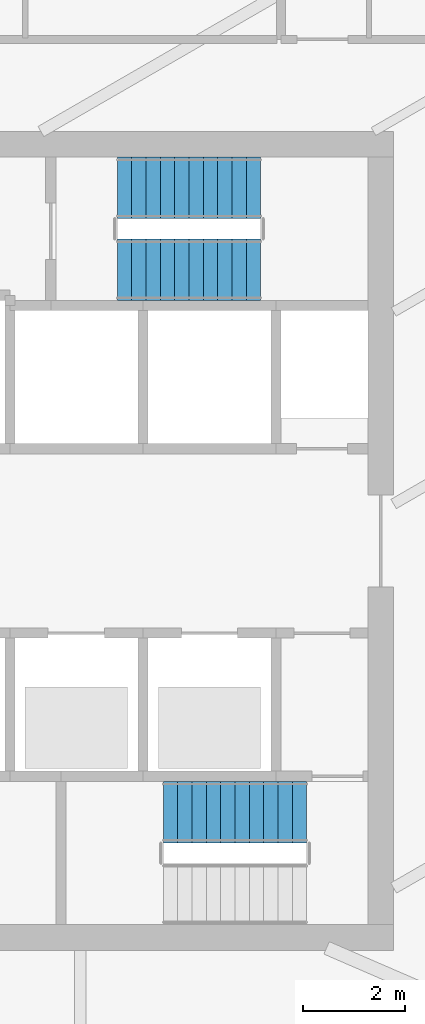
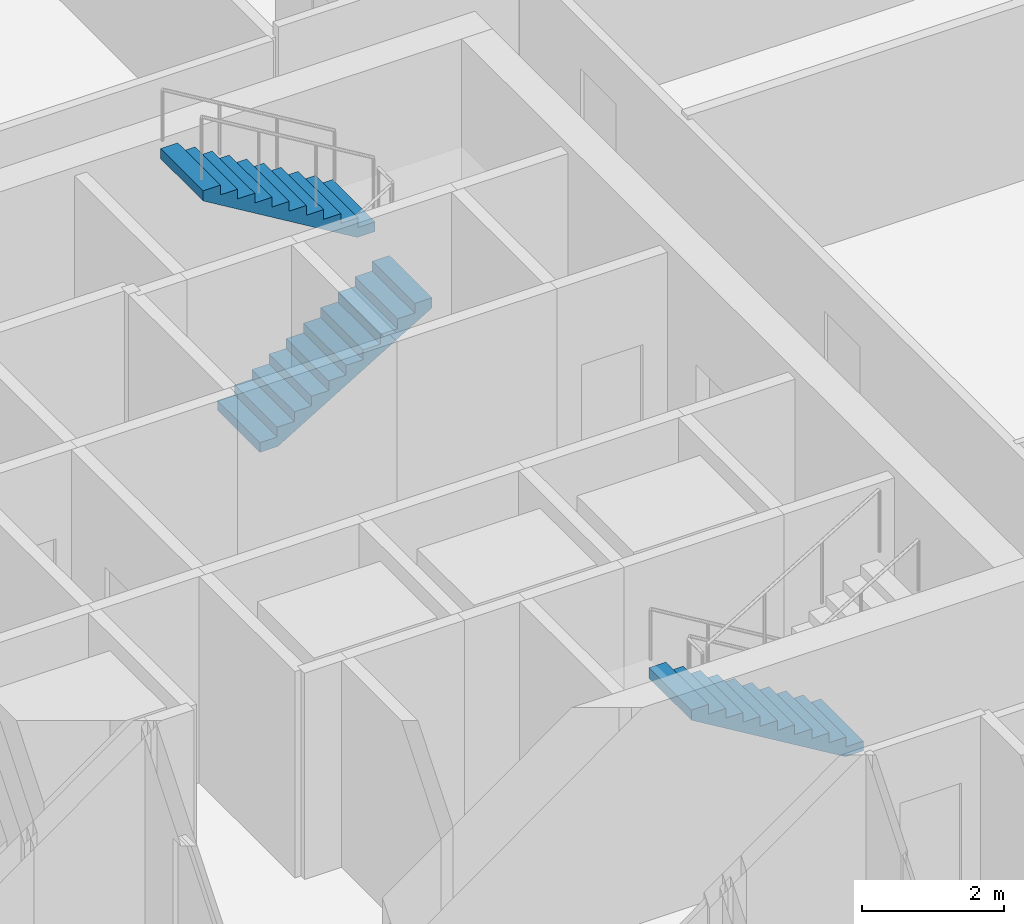
# One storey, part 15 of 25: 3 stair flights, 2 elements without a shape of their own.
"""IFC4 building model written with IfcOpenShell, lengths in metres."""

from ifc_helpers import new_model, si_unit, direction, frame, origin, place, context, subcontext, project, spatial, polyline, outline, extrude, material, type_object, element, aggregate, save


model = new_model("IFC4")

# Units and contexts
model_context = context("Model", 3, precision=1e-05, world=origin(), true_north=direction((0.0, 1.0)))
body_context = subcontext(model_context, "Body", "Model", "MODEL_VIEW")
ifc_project = project(units=[si_unit("LENGTHUNIT", "METRE"), si_unit("AREAUNIT", "SQUARE_METRE"), si_unit("VOLUMEUNIT", "CUBIC_METRE"), si_unit("PLANEANGLEUNIT", "RADIAN"), si_unit("MASSUNIT", "GRAM", prefix="KILO")], contexts=[model_context])

# Site, building, storey
site_placement = place(None, origin())
site = spatial("IfcSite", under=ifc_project, at=site_placement, CompositionType="ELEMENT")
building_placement = place(site_placement, origin())
building = spatial("IfcBuilding", under=site, at=building_placement, Name="Sierra Prisma Convention Tower", CompositionType="ELEMENT")
storey_placement = place(building_placement, frame((0.0, 0.0, 88.699951171875)))
storey = spatial("IfcBuildingStorey", under=building, at=storey_placement, Name="L18", CompositionType="ELEMENT", Elevation=88.699951171875)

# Stair, stair flight
ifc_material_1 = material(Name="Concrete C30/37", Category="concrete")
stair_type = type_object("IfcStairType", Name="Stair dog-leg 1200 RC", PredefinedType="HALF_TURN_STAIR", material=ifc_material_1)
stair_1_placement = place(storey_placement, origin())
stair_1 = element("IfcStair", 1, at=stair_1_placement, inside=storey, type_object=stair_type, Name="L18 S2", PredefinedType="HALF_TURN_STAIR")
ifc_material_2 = material(Name="Concrete C30/37", Category="concrete")
stair_flight_type = type_object("IfcStairFlightType", Name="Stair flight RC 1200", PredefinedType="STRAIGHT", material=ifc_material_2)
stair_flight_1_placement = place(storey_placement, frame((9.300048828125, -5.300048828125, 0.0), z_axis=(0.0, 0.0, 1.0), x_axis=(-1.0, 0.0, 0.0)))
stair_flight_1 = element("IfcStairFlight", 2, at=stair_flight_1_placement, type_object=stair_flight_type, Name="S2 flight 1", NumberOfRisers=11, NumberOfTreads=10, PredefinedType="STRAIGHT", RiserHeight=0.168181818, TreadLength=0.28, context=body_context, shape_type="SweptSolid", body=[
    extrude(outline(polyline([(0.0, 0.0), (0.0, 0.168212890625), (0.280029296875, 0.168212890625), (0.280029296875, 0.33642578125), (0.56005859375, 0.33642578125), (0.56005859375, 0.504638671875), (0.840087890625, 0.504638671875), (0.840087890625, 0.672607421875), (1.1201171875, 0.672607421875), (1.1201171875, 0.8408203125), (1.39990234375, 0.8408203125), (1.39990234375, 1.009033203125), (1.679931640625, 1.009033203125), (1.679931640625, 1.17724609375), (1.9599609375, 1.17724609375), (1.9599609375, 1.345458984375), (2.239990234375, 1.345458984375), (2.239990234375, 1.513671875), (2.52001953125, 1.513671875), (2.52001953125, 1.681884765625), (2.800048828125, 1.681884765625), (2.800048828125, 1.85009765625), (2.800048828125, 1.5068359375), (0.291015625, 0.0), (0.0, 0.0)])), frame((0.0, 0.60009765625, 0.0), z_axis=(0.0, -1.0, 0.0), x_axis=(1.0, 0.0, 0.0)), (0.0, 0.0, 1.0), 1.199951171875),
])
aggregate(stair_1, [stair_flight_1])

# Stair, stair flights
stair_2_placement = place(storey_placement, origin())
stair_2 = element("IfcStair", 3, at=stair_2_placement, inside=storey, type_object=stair_type, Name="L18 S4", PredefinedType="HALF_TURN_STAIR")
stair_flight_2_placement = place(storey_placement, frame((5.60009765625, 5.300048828125, 0.0), z_axis=(0.0, 0.0, 1.0), x_axis=(1.0, 0.0, 0.0)))
stair_flight_2 = element("IfcStairFlight", 4, at=stair_flight_2_placement, type_object=stair_flight_type, Name="S4 flight 1", NumberOfRisers=11, NumberOfTreads=10, PredefinedType="STRAIGHT", RiserHeight=0.168181818, TreadLength=0.28, context=body_context, shape_type="SweptSolid", body=[
    extrude(outline(polyline([(0.0, 0.0), (0.0, 0.168212890625), (0.280029296875, 0.168212890625), (0.280029296875, 0.33642578125), (0.56005859375, 0.33642578125), (0.56005859375, 0.504638671875), (0.840087890625, 0.504638671875), (0.840087890625, 0.672607421875), (1.1201171875, 0.672607421875), (1.1201171875, 0.8408203125), (1.39990234375, 0.8408203125), (1.39990234375, 1.009033203125), (1.679931640625, 1.009033203125), (1.679931640625, 1.17724609375), (1.9599609375, 1.17724609375), (1.9599609375, 1.345458984375), (2.239990234375, 1.345458984375), (2.239990234375, 1.513671875), (2.52001953125, 1.513671875), (2.52001953125, 1.681884765625), (2.800048828125, 1.681884765625), (2.800048828125, 1.85009765625), (2.800048828125, 1.5068359375), (0.291015625, 0.0), (0.0, 0.0)])), frame((0.0, 0.60009765625, 0.0), z_axis=(0.0, -1.0, 0.0), x_axis=(1.0, 0.0, 0.0)), (0.0, 0.0, 1.0), 1.199951171875),
])
stair_flight_3_placement = place(storey_placement, frame((8.39990234375, 6.89990234375, 1.85009765625), z_axis=(0.0, 0.0, 1.0), x_axis=(-1.0, 0.0, 0.0)))
stair_flight_3 = element("IfcStairFlight", 5, at=stair_flight_3_placement, type_object=stair_flight_type, Name="S4 flight 2", NumberOfRisers=11, NumberOfTreads=10, PredefinedType="STRAIGHT", RiserHeight=0.168181818, TreadLength=0.28, context=body_context, shape_type="SweptSolid", body=[
    extrude(outline(polyline([(0.0, 0.0), (0.0, 0.168212890625), (0.280029296875, 0.168212890625), (0.280029296875, 0.33642578125), (0.56005859375, 0.33642578125), (0.56005859375, 0.504638671875), (0.840087890625, 0.504638671875), (0.840087890625, 0.672607421875), (1.1201171875, 0.672607421875), (1.1201171875, 0.8408203125), (1.39990234375, 0.8408203125), (1.39990234375, 1.009033203125), (1.679931640625, 1.009033203125), (1.679931640625, 1.17724609375), (1.9599609375, 1.17724609375), (1.9599609375, 1.345458984375), (2.239990234375, 1.345458984375), (2.239990234375, 1.513671875), (2.52001953125, 1.513671875), (2.52001953125, 1.681884765625), (2.800048828125, 1.681884765625), (2.800048828125, 1.85009765625), (2.800048828125, 1.5068359375), (0.291015625, 0.0), (0.0, 0.0)])), frame((0.0, 0.60009765625, 0.0), z_axis=(0.0, -1.0, 0.0), x_axis=(1.0, 0.0, 0.0)), (0.0, 0.0, 1.0), 1.199951171875),
])
aggregate(stair_2, [stair_flight_2, stair_flight_3])

save(model, "model.ifc")
